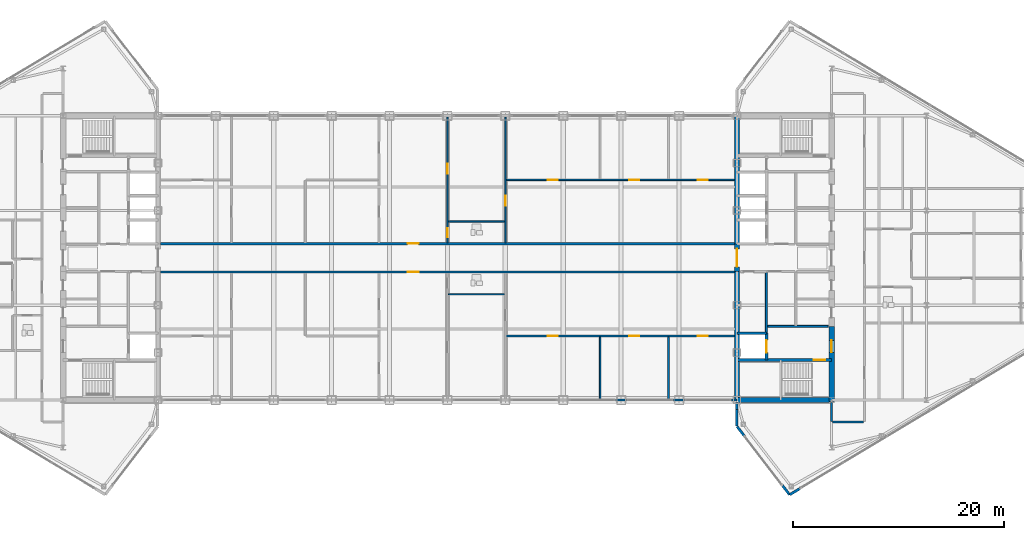
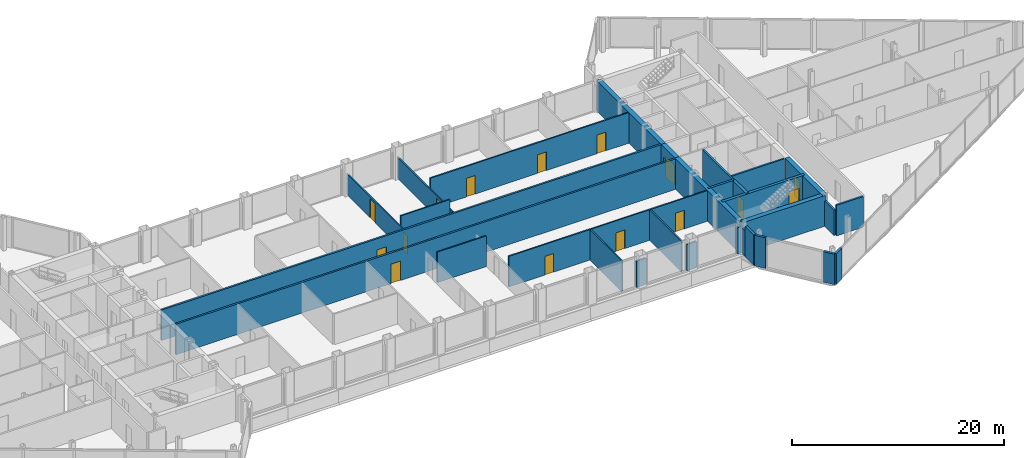
# One storey, part 24 of 29: 30 walls, 15 doors, 15 openings.
"""IFC4 building model written with IfcOpenShell, lengths in metres."""

from ifc_helpers import new_model, si_unit, direction, frame, frame_2d, origin, place, context, subcontext, project, spatial, rectangle, extrude, source, transform, mapped, material, layer, layer_set, type_object, type_shapes, element, fill, save


model = new_model("IFC4")

# Units and contexts
model_context = context("Model", 3, precision=1e-05, world=origin(), true_north=direction((0.0, 1.0)))
body_context = subcontext(model_context, "Body", "Model", "MODEL_VIEW")
ifc_project = project(units=[si_unit("LENGTHUNIT", "METRE"), si_unit("AREAUNIT", "SQUARE_METRE"), si_unit("VOLUMEUNIT", "CUBIC_METRE"), si_unit("PLANEANGLEUNIT", "RADIAN"), si_unit("MASSUNIT", "GRAM", prefix="KILO")], contexts=[model_context])

# Site, building, storey
site_placement = place(None, origin())
site = spatial("IfcSite", under=ifc_project, at=site_placement, CompositionType="ELEMENT")
building_placement = place(site_placement, origin())
building = spatial("IfcBuilding", under=site, at=building_placement, Name="Seokmaru Belvedere", CompositionType="ELEMENT")
storey_placement = place(building_placement, frame((0.0, 0.0, 239.39990234375)))
storey = spatial("IfcBuildingStorey", under=building, at=storey_placement, Name="L63", CompositionType="ELEMENT", Elevation=239.39990234375)

# Wall, openings, doors
ifc_material_1 = material(Name="Fire-Rated Gypsum Shaftwall")
ifc_layer_1 = layer(ifc_material_1, 0.14990234375)
ifc_layer_set_1 = layer_set([ifc_layer_1], Name="Fire-Rated Gypsum Shaftwall")
wall_type_1 = type_object("IfcWallType", Name="Apartment Fire-Acoustic Room Partition 150", PredefinedType="PARTITIONING", material=ifc_layer_set_1)
wall_1_placement = place(storey_placement, frame((5.5849609375, -7.419921875, 0.0), z_axis=(0.0, 0.0, 1.0), x_axis=(1.0, 0.0, 0.0)))
wall_1 = element("IfcWall", 1, at=wall_1_placement, inside=storey, type_object=wall_type_1, Name="L63 Interior Partition 006", PredefinedType="PARTITIONING", context=body_context, shape_type="SweptSolid", body=[
    extrude(rectangle(XDim=21.66015625, YDim=0.14990234375, at=frame_2d((10.830078125, 0.0))), origin(), (0.0, 0.0, 1.0), 3.530029296875),
])
opening_1_placement = place(wall_1_placement, frame((3.93994140625, 0.0, 0.0)))
opening_1 = element("IfcOpeningElement", 2, at=opening_1_placement, cuts=wall_1, Name="Opening D05", PredefinedType="OPENING", context=body_context, shape_type="SweptSolid", body=[
    extrude(rectangle(XDim=0.949951171875, YDim=2.14990234375, at=frame_2d((0.47509765625, 1.074951171875))), frame((0.0, 0.0849609375, 0.0), z_axis=(0.0, -1.0, 0.0), x_axis=(1.0, 0.0, 0.0)), (0.0, 0.0, 1.0), 0.169921875),
])
opening_2_placement = place(wall_1_placement, frame((11.68994140625, 0.0, 0.0)))
opening_2 = element("IfcOpeningElement", 3, at=opening_2_placement, cuts=wall_1, Name="Opening D05", PredefinedType="OPENING", context=body_context, shape_type="SweptSolid", body=[
    extrude(rectangle(XDim=0.949951171875, YDim=2.14990234375, at=frame_2d((0.47509765625, 1.074951171875))), frame((0.0, 0.0849609375, 0.0), z_axis=(0.0, -1.0, 0.0), x_axis=(1.0, 0.0, 0.0)), (0.0, 0.0, 1.0), 0.169921875),
])
opening_3_placement = place(wall_1_placement, frame((18.18994140625, 0.0, 0.0)))
opening_3 = element("IfcOpeningElement", 4, at=opening_3_placement, cuts=wall_1, Name="Opening D05", PredefinedType="OPENING", context=body_context, shape_type="SweptSolid", body=[
    extrude(rectangle(XDim=0.949951171875, YDim=2.14990234375, at=frame_2d((0.47509765625, 1.074951171875))), frame((0.0, 0.0849609375, 0.0), z_axis=(0.0, -1.0, 0.0), x_axis=(1.0, 0.0, 0.0)), (0.0, 0.0, 1.0), 0.169921875),
])
ifc_material_2 = material(Name="Engineered White Oak Timber", Category="wood")
door_type_1 = type_object("IfcDoorType", Name="Apartment Interior Fire-Rated Oak Door 950x2150", OperationType="NOTDEFINED", PredefinedType="DOOR", material=ifc_material_2)
shared_shape_1 = source(origin(), body_context, "Body", "SweptSolid", [
    extrude(rectangle(XDim=0.949951171875, YDim=2.14990234375, at=frame_2d((0.47509765625, 1.074951171875))), frame((0.0, 0.02490234375, 0.0), z_axis=(0.0, -1.0, 0.0), x_axis=(1.0, 0.0, 0.0)), (0.0, 0.0, 1.0), 0.050048828125),
])
type_shapes(door_type_1, [shared_shape_1])
door_1_placement = place(opening_1_placement, origin())
door_1 = element("IfcDoor", 5, at=door_1_placement, inside=storey, type_object=door_type_1, Name="L63 Interior Door 031", OperationType="SINGLE_SWING_LEFT", OverallHeight=2.14990234375, OverallWidth=0.949951171875, PredefinedType="DOOR", context=body_context, shape_type="MappedRepresentation", body=[
    mapped(shared_shape_1, transform((0.0, 0.0, 0.0), scale=1.0)),
])
fill(opening_1, door_1)
door_2_placement = place(opening_2_placement, origin())
door_2 = element("IfcDoor", 6, at=door_2_placement, inside=storey, type_object=door_type_1, Name="L63 Interior Door 032", OperationType="SINGLE_SWING_RIGHT", OverallHeight=2.14990234375, OverallWidth=0.949951171875, PredefinedType="DOOR", context=body_context, shape_type="MappedRepresentation", body=[
    mapped(shared_shape_1, transform((0.0, 0.0, 0.0), scale=1.0)),
])
fill(opening_2, door_2)
door_3_placement = place(opening_3_placement, origin())
door_3 = element("IfcDoor", 7, at=door_3_placement, inside=storey, type_object=door_type_1, Name="L63 Interior Door 033", OperationType="SINGLE_SWING_LEFT", OverallHeight=2.14990234375, OverallWidth=0.949951171875, PredefinedType="DOOR", context=body_context, shape_type="MappedRepresentation", body=[
    mapped(shared_shape_1, transform((0.0, 0.0, 0.0), scale=1.0)),
])
fill(opening_3, door_3)

wall_2_placement = place(storey_placement, frame((5.5849609375, 7.419921875, 0.0), z_axis=(0.0, 0.0, 1.0), x_axis=(1.0, 0.0, 0.0)))
wall_2 = element("IfcWall", 8, at=wall_2_placement, inside=storey, type_object=wall_type_1, Name="L63 Interior Partition 024", PredefinedType="PARTITIONING", context=body_context, shape_type="SweptSolid", body=[
    extrude(rectangle(XDim=21.66015625, YDim=0.14990234375, at=frame_2d((10.830078125, 0.0))), origin(), (0.0, 0.0, 1.0), 3.530029296875),
])
opening_4_placement = place(wall_2_placement, frame((3.93994140625, 0.0, 0.0)))
opening_4 = element("IfcOpeningElement", 9, at=opening_4_placement, cuts=wall_2, Name="Opening D05", PredefinedType="OPENING", context=body_context, shape_type="SweptSolid", body=[
    extrude(rectangle(XDim=0.949951171875, YDim=2.14990234375, at=frame_2d((0.47509765625, 1.074951171875))), frame((0.0, 0.0849609375, 0.0), z_axis=(0.0, -1.0, 0.0), x_axis=(1.0, 0.0, 0.0)), (0.0, 0.0, 1.0), 0.169921875),
])
opening_5_placement = place(wall_2_placement, frame((11.68994140625, 0.0, 0.0)))
opening_5 = element("IfcOpeningElement", 10, at=opening_5_placement, cuts=wall_2, Name="Opening D05", PredefinedType="OPENING", context=body_context, shape_type="SweptSolid", body=[
    extrude(rectangle(XDim=0.949951171875, YDim=2.14990234375, at=frame_2d((0.47509765625, 1.074951171875))), frame((0.0, 0.0849609375, 0.0), z_axis=(0.0, -1.0, 0.0), x_axis=(1.0, 0.0, 0.0)), (0.0, 0.0, 1.0), 0.169921875),
])
opening_6_placement = place(wall_2_placement, frame((18.18994140625, 0.0, 0.0)))
opening_6 = element("IfcOpeningElement", 11, at=opening_6_placement, cuts=wall_2, Name="Opening D05", PredefinedType="OPENING", context=body_context, shape_type="SweptSolid", body=[
    extrude(rectangle(XDim=0.949951171875, YDim=2.14990234375, at=frame_2d((0.47509765625, 1.074951171875))), frame((0.0, 0.0849609375, 0.0), z_axis=(0.0, -1.0, 0.0), x_axis=(1.0, 0.0, 0.0)), (0.0, 0.0, 1.0), 0.169921875),
])
door_4_placement = place(opening_4_placement, origin())
door_4 = element("IfcDoor", 12, at=door_4_placement, inside=storey, type_object=door_type_1, Name="L63 Interior Door 042", OperationType="SINGLE_SWING_LEFT", OverallHeight=2.14990234375, OverallWidth=0.949951171875, PredefinedType="DOOR", context=body_context, shape_type="MappedRepresentation", body=[
    mapped(shared_shape_1, transform((0.0, 0.0, 0.0), scale=1.0)),
])
fill(opening_4, door_4)
door_5_placement = place(opening_5_placement, origin())
door_5 = element("IfcDoor", 13, at=door_5_placement, inside=storey, type_object=door_type_1, Name="L63 Interior Door 043", OperationType="SINGLE_SWING_RIGHT", OverallHeight=2.14990234375, OverallWidth=0.949951171875, PredefinedType="DOOR", context=body_context, shape_type="MappedRepresentation", body=[
    mapped(shared_shape_1, transform((0.0, 0.0, 0.0), scale=1.0)),
])
fill(opening_5, door_5)
door_6_placement = place(opening_6_placement, origin())
door_6 = element("IfcDoor", 14, at=door_6_placement, inside=storey, type_object=door_type_1, Name="L63 Interior Door 044", OperationType="SINGLE_SWING_LEFT", OverallHeight=2.14990234375, OverallWidth=0.949951171875, PredefinedType="DOOR", context=body_context, shape_type="MappedRepresentation", body=[
    mapped(shared_shape_1, transform((0.0, 0.0, 0.0), scale=1.0)),
])
fill(opening_6, door_6)

# Wall, opening, door
wall_3_placement = place(storey_placement, frame((5.5, 1.43505859375, 0.0), z_axis=(0.0, 0.0, 1.0), x_axis=(0.0, 1.0, 0.0)))
wall_3 = element("IfcWall", 15, at=wall_3_placement, inside=storey, type_object=wall_type_1, Name="L63 Interior Partition 043", PredefinedType="PARTITIONING", context=body_context, shape_type="SweptSolid", body=[
    extrude(rectangle(XDim=11.954833984375, YDim=0.14990234375, at=frame_2d((5.9775390625, 0.0))), origin(), (0.0, 0.0, 1.0), 2.43017578125),
])
opening_7_placement = place(wall_3_placement, frame((3.527587890625, 0.0, 0.0)))
opening_7 = element("IfcOpeningElement", 16, at=opening_7_placement, cuts=wall_3, Name="Opening D05", PredefinedType="OPENING", context=body_context, shape_type="SweptSolid", body=[
    extrude(rectangle(XDim=0.949951171875, YDim=2.14990234375, at=frame_2d((0.47509765625, 1.074951171875))), frame((0.0, 0.0849609375, 0.0), z_axis=(0.0, -1.0, 0.0), x_axis=(1.0, 0.0, 0.0)), (0.0, 0.0, 1.0), 0.169921875),
])
door_7_placement = place(opening_7_placement, origin())
door_7 = element("IfcDoor", 17, at=door_7_placement, inside=storey, type_object=door_type_1, Name="L63 Interior Door 041", OperationType="SINGLE_SWING_LEFT", OverallHeight=2.14990234375, OverallWidth=0.949951171875, PredefinedType="DOOR", context=body_context, shape_type="MappedRepresentation", body=[
    mapped(shared_shape_1, transform((0.0, 0.0, 0.0), scale=1.0)),
])
fill(opening_7, door_7)

# Walls
for number, where, z_axis, x_axis, name in (
    (18, (14.5, -13.5, 0.0), (0.0, 0.0, 1.0), (0.0, 1.0, 0.0), "L63 Interior Partition 044"),
    (19, (21.0, -13.5, 0.0), (0.0, 0.0, 1.0), (0.0, 1.0, 0.0), "L63 Interior Partition 046"),
):
    element("IfcWall", number, at=place(storey_placement, frame(where, z_axis=z_axis, x_axis=x_axis)), inside=storey, type_object=wall_type_1, Name=name, PredefinedType="PARTITIONING", context=body_context, shape_type="SweptSolid", body=[
        extrude(rectangle(XDim=5.989990234375, YDim=0.14990234375, at=frame_2d((2.9951171875, 0.0))), origin(), (0.0, 0.0, 1.0), 3.530029296875),
    ])
ifc_material_3 = material(Name="Anodised Bronze Aluminium", Category="aluminium")
ifc_layer_2 = layer(ifc_material_3, 0.2099609375)
ifc_layer_set_2 = layer_set([ifc_layer_2], Name="Anodised Bronze Aluminium")
wall_type_2 = type_object("IfcWallType", Name="Bridge Column Spandrel Closure Pier 210", PredefinedType="SOLIDWALL", material=ifc_layer_set_2)
for number, where, z_axis, x_axis, name in (
    (20, (15.949951171875, -13.5, 0.0), (0.0, 0.0, 1.0), (1.0, 0.0, 0.0), "L63 Bridge South Column Closure Pier 09"),
    (21, (21.449951171875, -13.5, 0.0), (0.0, 0.0, 1.0), (1.0, 0.0, 0.0), "L63 Bridge South Column Closure Pier 10"),
):
    element("IfcWall", number, at=place(storey_placement, frame(where, z_axis=z_axis, x_axis=x_axis)), inside=storey, type_object=wall_type_2, Name=name, PredefinedType="SOLIDWALL", context=body_context, shape_type="SweptSolid", body=[
        extrude(rectangle(XDim=1.10009765625, YDim=0.2099609375, at=frame_2d((0.550048828125, 0.0))), origin(), (0.0, 0.0, 1.0), 3.030029296875),
    ])
wall_4_placement = place(storey_placement, frame((26.949951171875, -13.5, 0.0), z_axis=(0.0, 0.0, 1.0), x_axis=(1.0, 0.0, 0.0)))
element("IfcWall", 22, at=wall_4_placement, inside=storey, type_object=wall_type_2, Name="L63 Bridge South Column Closure Pier 11", PredefinedType="SOLIDWALL", context=body_context, shape_type="SweptSolid", body=[
    extrude(rectangle(XDim=0.5400390625, YDim=0.2099609375, at=frame_2d((0.27001953125, 0.0))), origin(), (0.0, 0.0, 1.0), 3.030029296875),
])
ifc_layer_3 = layer(ifc_material_1, 0.179931640625)
ifc_layer_set_3 = layer_set([ifc_layer_3], Name="Fire-Rated Gypsum Shaftwall")
wall_type_3 = type_object("IfcWallType", Name="Core Service Fire Partition 180", PredefinedType="PARTITIONING", material=ifc_layer_set_3)
wall_5_placement = place(storey_placement, frame((30.449951171875, -6.5, 0.0), z_axis=(0.0, 0.0, 1.0), x_axis=(1.0, 0.0, 0.0)))
element("IfcWall", 23, at=wall_5_placement, inside=storey, type_object=wall_type_3, Name="L63 East Firefighting Lobby Partition", PredefinedType="PARTITIONING", context=body_context, shape_type="SweptSolid", body=[
    extrude(rectangle(XDim=5.699951171875, YDim=0.179931640625, at=frame_2d((2.85009765625, 0.0))), origin(), (0.0, 0.0, 1.0), 3.530029296875),
])
wall_6_placement = place(storey_placement, frame((30.300048828125, -7.1201171875, 0.0), z_axis=(0.0, 0.0, 1.0), x_axis=(0.0, 1.0, 0.0)))
element("IfcWall", 24, at=wall_6_placement, inside=storey, type_object=wall_type_3, Name="L63 East Freed Shaft Vault Partition", PredefinedType="PARTITIONING", context=body_context, shape_type="SweptSolid", body=[
    extrude(rectangle(XDim=5.740234375, YDim=0.179931640625, at=frame_2d((2.8701171875, 0.0))), origin(), (0.0, 0.0, 1.0), 3.530029296875),
])
ifc_material_4 = material(Name="Concrete C50 (50 MPa)", Category="concrete")
ifc_layer_4 = layer(ifc_material_4, 0.25)
ifc_layer_set_4 = layer_set([ifc_layer_4], Name="Concrete C50 (50 MPa)")
wall_type_4 = type_object("IfcWallType", Name="Hoistway Transverse Concrete Divider Wall 250", PredefinedType="SHEAR", material=ifc_layer_set_4)
wall_7_placement = place(storey_placement, frame((27.5, -7.14990234375, 0.0), z_axis=(0.0, 0.0, 1.0), x_axis=(1.0, 0.0, 0.0)))
element("IfcWall", 25, at=wall_7_placement, inside=storey, type_object=wall_type_4, Name="L63 East Hoistway Divider Core Wall 1", PredefinedType="SHEAR", context=body_context, shape_type="SweptSolid", body=[
    extrude(rectangle(XDim=2.800048828125, YDim=0.25, at=frame_2d((1.39990234375, 0.0))), origin(), (0.0, 0.0, 1.0), 3.530029296875),
])
ifc_layer_5 = layer(ifc_material_1, 0.199951171875)
ifc_layer_set_5 = layer_set([ifc_layer_5], Name="Fire-Rated Gypsum Shaftwall")
wall_type_5 = type_object("IfcWallType", Name="Inter-Tenancy Fire Compartment Partition 200", PredefinedType="PARTITIONING", material=ifc_layer_set_5)
wall_8_placement = place(storey_placement, frame((36.5849609375, -15.60009765625, 0.0), z_axis=(0.0, 0.0, 1.0), x_axis=(1.0, 0.0, 0.0)))
element("IfcWall", 26, at=wall_8_placement, inside=storey, type_object=wall_type_5, Name="L63 Interior Partition 002", PredefinedType="PARTITIONING", context=body_context, shape_type="SweptSolid", body=[
    extrude(rectangle(XDim=2.929931640625, YDim=0.199951171875, at=frame_2d((1.46484375, 0.0))), origin(), (0.0, 0.0, 1.0), 3.530029296875),
])

# Wall, opening, door
wall_9_placement = place(storey_placement, frame((-27.2451171875, -1.35009765625, 0.0), z_axis=(0.0, 0.0, 1.0), x_axis=(1.0, 0.0, 0.0)))
wall_9 = element("IfcWall", 27, at=wall_9_placement, inside=storey, type_object=wall_type_5, Name="L63 Interior Partition 013", PredefinedType="PARTITIONING", context=body_context, shape_type="SweptSolid", body=[
    extrude(rectangle(XDim=54.490234375, YDim=0.199951171875, at=frame_2d((27.2451171875, 0.0))), origin(), (0.0, 0.0, 1.0), 3.530029296875),
])
opening_8_placement = place(wall_9_placement, frame((23.469970703125, 0.0, 0.0)))
opening_8 = element("IfcOpeningElement", 28, at=opening_8_placement, cuts=wall_9, Name="Opening D03", PredefinedType="OPENING", context=body_context, shape_type="SweptSolid", body=[
    extrude(rectangle(XDim=1.050048828125, YDim=2.25, at=frame_2d((0.52490234375, 1.125))), frame((0.0, 0.10986328125, 0.0), z_axis=(0.0, -1.0, 0.0), x_axis=(1.0, 0.0, 0.0)), (0.0, 0.0, 1.0), 0.219970703125),
])
ifc_material_5 = material(Name="Fire-Rated Steel Leaf", Category="steel")
door_type_2 = type_object("IfcDoorType", Name="Apartment Entrance Fire Door 1050x2250", OperationType="NOTDEFINED", PredefinedType="DOOR", material=ifc_material_5)
shared_shape_2 = source(origin(), body_context, "Body", "SweptSolid", [
    extrude(rectangle(XDim=1.050048828125, YDim=2.25, at=frame_2d((0.52490234375, 1.125))), frame((0.0, 0.02490234375, 0.0), z_axis=(0.0, -1.0, 0.0), x_axis=(1.0, 0.0, 0.0)), (0.0, 0.0, 1.0), 0.050048828125),
])
type_shapes(door_type_2, [shared_shape_2])
door_8_placement = place(opening_8_placement, origin())
door_8 = element("IfcDoor", 29, at=door_8_placement, inside=storey, type_object=door_type_2, Name="L63 Interior Door 023", OperationType="SINGLE_SWING_LEFT", OverallHeight=2.25, OverallWidth=1.050048828125, PredefinedType="DOOR", context=body_context, shape_type="MappedRepresentation", body=[
    mapped(shared_shape_2, transform((0.0, 0.0, 0.0), scale=1.0)),
])
fill(opening_8, door_8)

wall_10_placement = place(storey_placement, frame((-27.2451171875, 1.35009765625, 0.0), z_axis=(0.0, 0.0, 1.0), x_axis=(1.0, 0.0, 0.0)))
wall_10 = element("IfcWall", 30, at=wall_10_placement, inside=storey, type_object=wall_type_5, Name="L63 Interior Partition 016", PredefinedType="PARTITIONING", context=body_context, shape_type="SweptSolid", body=[
    extrude(rectangle(XDim=54.490234375, YDim=0.199951171875, at=frame_2d((27.2451171875, 0.0))), origin(), (0.0, 0.0, 1.0), 3.530029296875),
])
opening_9_placement = place(wall_10_placement, frame((23.469970703125, 0.0, 0.0)))
opening_9 = element("IfcOpeningElement", 31, at=opening_9_placement, cuts=wall_10, Name="Opening D03", PredefinedType="OPENING", context=body_context, shape_type="SweptSolid", body=[
    extrude(rectangle(XDim=1.050048828125, YDim=2.25, at=frame_2d((0.52490234375, 1.125))), frame((0.0, 0.10986328125, 0.0), z_axis=(0.0, -1.0, 0.0), x_axis=(1.0, 0.0, 0.0)), (0.0, 0.0, 1.0), 0.219970703125),
])
door_9_placement = place(opening_9_placement, origin())
door_9 = element("IfcDoor", 32, at=door_9_placement, inside=storey, type_object=door_type_2, Name="L63 Interior Door 034", OperationType="SINGLE_SWING_RIGHT", OverallHeight=2.25, OverallWidth=1.050048828125, PredefinedType="DOOR", context=body_context, shape_type="MappedRepresentation", body=[
    mapped(shared_shape_2, transform((0.0, 0.0, 0.0), scale=1.0)),
])
fill(opening_9, door_9)

# Wall
wall_11_placement = place(storey_placement, frame((36.5, -15.514892578125, 0.0), z_axis=(0.0, 0.0, 1.0), x_axis=(0.0, 1.0, 0.0)))
element("IfcWall", 33, at=wall_11_placement, inside=storey, type_object=wall_type_5, Name="L63 Interior Partition 048", PredefinedType="PARTITIONING", context=body_context, shape_type="SweptSolid", body=[
    extrude(rectangle(XDim=1.760009765625, YDim=0.199951171875, at=frame_2d((0.8798828125, 0.0))), origin(), (0.0, 0.0, 1.0), 2.93017578125),
])

# Wall, opening, door
ifc_layer_6 = layer(ifc_material_4, 0.300048828125)
ifc_layer_set_6 = layer_set([ifc_layer_6], Name="Concrete C50 (50 MPa)")
wall_type_6 = type_object("IfcWallType", Name="Internal Core Stair and Hoistway Wall 300", PredefinedType="SHEAR", material=ifc_layer_set_6)
wall_12_placement = place(storey_placement, frame((27.5, -9.699951171875, 0.0), z_axis=(0.0, 0.0, 1.0), x_axis=(1.0, 0.0, 0.0)))
wall_12 = element("IfcWall", 34, at=wall_12_placement, inside=storey, type_object=wall_type_6, Name="L63 East Stair ST-1 Enclosure Wall", PredefinedType="SHEAR", context=body_context, shape_type="SweptSolid", body=[
    extrude(rectangle(XDim=9.0, YDim=0.300048828125, at=frame_2d((4.5, 0.0))), origin(), (0.0, 0.0, 1.0), 3.530029296875),
])
opening_10_placement = place(wall_12_placement, frame((7.300048828125, 0.0, 0.0)))
opening_10 = element("IfcOpeningElement", 35, at=opening_10_placement, cuts=wall_12, Name="Opening D01", PredefinedType="OPENING", context=body_context, shape_type="SweptSolid", body=[
    extrude(rectangle(XDim=1.10009765625, YDim=2.199951171875, at=frame_2d((0.550048828125, 1.10009765625))), frame((0.0, 0.16015625, 0.0), z_axis=(0.0, -1.0, 0.0), x_axis=(1.0, 0.0, 0.0)), (0.0, 0.0, 1.0), 0.320068359375),
])
door_type_3 = type_object("IfcDoorType", Name="Special Escape Stair Smokeproof Fire Door 1100x2200", OperationType="NOTDEFINED", PredefinedType="DOOR", material=ifc_material_5)
shared_shape_3 = source(origin(), body_context, "Body", "SweptSolid", [
    extrude(rectangle(XDim=1.10009765625, YDim=2.199951171875, at=frame_2d((0.550048828125, 1.10009765625))), frame((0.0, 0.02490234375, 0.0), z_axis=(0.0, -1.0, 0.0), x_axis=(1.0, 0.0, 0.0)), (0.0, 0.0, 1.0), 0.050048828125),
])
type_shapes(door_type_3, [shared_shape_3])
door_10_placement = place(opening_10_placement, frame((1.10009765625, 0.0, 0.0), z_axis=(0.0, 0.0, 1.0), x_axis=(-1.0, 0.0, 0.0)))
door_10 = element("IfcDoor", 36, at=door_10_placement, inside=storey, type_object=door_type_3, Name="L63 East Special Escape Stair ST-1 Door", OperationType="SINGLE_SWING_RIGHT", OverallHeight=2.199951171875, OverallWidth=1.10009765625, PredefinedType="DOOR", context=body_context, shape_type="MappedRepresentation", body=[
    mapped(shared_shape_3, transform((0.0, 0.0, 0.0), scale=1.0)),
])
fill(opening_10, door_10)

wall_13_placement = place(storey_placement, frame((30.300048828125, -9.679931640625, 0.0), z_axis=(0.0, 0.0, 1.0), x_axis=(0.0, 1.0, 0.0)))
wall_13 = element("IfcWall", 37, at=wall_13_placement, inside=storey, type_object=wall_type_6, Name="L63 East Firefighting Lift Shaft Front Wall", PredefinedType="SHEAR", context=body_context, shape_type="SweptSolid", body=[
    extrude(rectangle(XDim=2.559814453125, YDim=0.300048828125, at=frame_2d((1.27978515625, 0.0))), origin(), (0.0, 0.0, 1.0), 3.530029296875),
])
opening_11_placement = place(wall_13_placement, frame((0.679931640625, 0.0, 0.0)))
opening_11 = element("IfcOpeningElement", 38, at=opening_11_placement, cuts=wall_13, Name="Opening LD2", PredefinedType="OPENING", context=body_context, shape_type="SweptSolid", body=[
    extrude(rectangle(XDim=1.199951171875, YDim=2.25, at=frame_2d((0.60009765625, 1.125))), frame((0.0, 0.16015625, 0.0), z_axis=(0.0, -1.0, 0.0), x_axis=(1.0, 0.0, 0.0)), (0.0, 0.0, 1.0), 0.320068359375),
])
ifc_material_6 = material(Name="Stainless Steel 316", Category="steel")
door_type_4 = type_object("IfcDoorType", Name="Firefighting Lift Sliding Landing Door 1200x2250", OperationType="DOUBLE_DOOR_SLIDING", PredefinedType="DOOR", material=ifc_material_6)
shared_shape_4 = source(origin(), body_context, "Body", "SweptSolid", [
    extrude(rectangle(XDim=1.199951171875, YDim=2.25, at=frame_2d((0.60009765625, 1.125))), frame((0.0, 0.02490234375, 0.0), z_axis=(0.0, -1.0, 0.0), x_axis=(1.0, 0.0, 0.0)), (0.0, 0.0, 1.0), 0.050048828125),
])
type_shapes(door_type_4, [shared_shape_4])
door_11_placement = place(opening_11_placement, origin())
door_11 = element("IfcDoor", 39, at=door_11_placement, inside=storey, type_object=door_type_4, Name="L63 East Firefighting Lift Landing Door", OperationType="DOUBLE_DOOR_SLIDING", OverallHeight=2.25, OverallWidth=1.199951171875, PredefinedType="DOOR", context=body_context, shape_type="MappedRepresentation", body=[
    mapped(shared_shape_4, transform((0.0, 0.0, 0.0), scale=1.0)),
])
fill(opening_11, door_11)

# Walls
ifc_layer_7 = layer(ifc_material_1, 0.1298828125)
ifc_layer_set_7 = layer_set([ifc_layer_7], Name="Fire-Rated Gypsum Shaftwall")
wall_type_7 = type_object("IfcWallType", Name="Moisture-Resistant Fire-Rated Bathroom Partition 130", PredefinedType="PARTITIONING", material=ifc_layer_set_7)
for number, where, z_axis, x_axis, name in (
    (40, (0.0849609375, -3.449951171875, 0.0), (0.0, 0.0, 1.0), (1.0, 0.0, 0.0), "L63 Interior Partition 010"),
    (41, (0.0849609375, 3.449951171875, 0.0), (0.0, 0.0, 1.0), (1.0, 0.0, 0.0), "L63 Interior Partition 019"),
):
    element("IfcWall", number, at=place(storey_placement, frame(where, z_axis=z_axis, x_axis=x_axis)), inside=storey, type_object=wall_type_7, Name=name, PredefinedType="PARTITIONING", context=body_context, shape_type="SweptSolid", body=[
        extrude(rectangle(XDim=5.330078125, YDim=0.1298828125, at=frame_2d((2.6650390625, 0.0))), origin(), (0.0, 0.0, 1.0), 3.530029296875),
    ])

# Wall, openings, doors
wall_14_placement = place(storey_placement, frame((0.0, 1.43505859375, 0.0), z_axis=(0.0, 0.0, 1.0), x_axis=(0.0, 1.0, 0.0)))
wall_14 = element("IfcWall", 42, at=wall_14_placement, inside=storey, type_object=wall_type_7, Name="L63 Interior Partition 041", PredefinedType="PARTITIONING", context=body_context, shape_type="SweptSolid", body=[
    extrude(rectangle(XDim=11.954833984375, YDim=0.1298828125, at=frame_2d((5.9775390625, 0.0))), origin(), (0.0, 0.0, 1.0), 2.43017578125),
])
opening_12_placement = place(wall_14_placement, frame((0.52490234375, 0.0, 0.0)))
opening_12 = element("IfcOpeningElement", 43, at=opening_12_placement, cuts=wall_14, Name="Opening D06", PredefinedType="OPENING", context=body_context, shape_type="SweptSolid", body=[
    extrude(rectangle(XDim=0.8798828125, YDim=2.10009765625, at=frame_2d((0.43994140625, 1.050048828125))), frame((0.0, 0.074951171875, 0.0), z_axis=(0.0, -1.0, 0.0), x_axis=(1.0, 0.0, 0.0)), (0.0, 0.0, 1.0), 0.14990234375),
])
opening_13_placement = place(wall_14_placement, frame((6.56494140625, 0.0, 0.0)))
opening_13 = element("IfcOpeningElement", 44, at=opening_13_placement, cuts=wall_14, Name="Opening D05", PredefinedType="OPENING", context=body_context, shape_type="SweptSolid", body=[
    extrude(rectangle(XDim=0.949951171875, YDim=2.14990234375, at=frame_2d((0.47509765625, 1.074951171875))), frame((0.0, 0.074951171875, 0.0), z_axis=(0.0, -1.0, 0.0), x_axis=(1.0, 0.0, 0.0)), (0.0, 0.0, 1.0), 0.14990234375),
])
door_type_5 = type_object("IfcDoorType", Name="Bathroom and Restroom Fire-Rated Door 880x2100", OperationType="NOTDEFINED", PredefinedType="DOOR", material=ifc_material_2)
shared_shape_5 = source(origin(), body_context, "Body", "SweptSolid", [
    extrude(rectangle(XDim=0.8798828125, YDim=2.10009765625, at=frame_2d((0.43994140625, 1.050048828125))), frame((0.0, 0.02490234375, 0.0), z_axis=(0.0, -1.0, 0.0), x_axis=(1.0, 0.0, 0.0)), (0.0, 0.0, 1.0), 0.050048828125),
])
type_shapes(door_type_5, [shared_shape_5])
door_12_placement = place(opening_12_placement, origin())
door_12 = element("IfcDoor", 45, at=door_12_placement, inside=storey, type_object=door_type_5, Name="L63 Interior Door 035", OperationType="SINGLE_SWING_LEFT", OverallHeight=2.10009765625, OverallWidth=0.8798828125, PredefinedType="DOOR", context=body_context, shape_type="MappedRepresentation", body=[
    mapped(shared_shape_5, transform((0.0, 0.0, 0.0), scale=1.0)),
])
fill(opening_12, door_12)
door_13_placement = place(opening_13_placement, origin())
door_13 = element("IfcDoor", 46, at=door_13_placement, inside=storey, type_object=door_type_1, Name="L63 Interior Door 036", OperationType="SINGLE_SWING_RIGHT", OverallHeight=2.14990234375, OverallWidth=0.949951171875, PredefinedType="DOOR", context=body_context, shape_type="MappedRepresentation", body=[
    mapped(shared_shape_1, transform((0.0, 0.0, 0.0), scale=1.0)),
])
fill(opening_13, door_13)

# Walls
ifc_layer_8 = layer(ifc_material_3, 0.239990234375)
ifc_layer_set_8 = layer_set([ifc_layer_8], Name="Anodised Bronze Aluminium")
wall_type_8 = type_object("IfcWallType", Name="Tower Corner Spandrel Closure Wall 240", PredefinedType="SOLIDWALL", material=ifc_layer_set_8)
wall_15_placement = place(storey_placement, frame((32.508544921875, -22.494873046875, 0.0), z_axis=(0.0, 0.0, 1.0), x_axis=(0.85743623509, 0.514590228002, 0.0)))
element("IfcWall", 47, at=wall_15_placement, inside=storey, type_object=wall_type_8, Name="L63 E Corner Closure Pier 1A", PredefinedType="SOLIDWALL", context=body_context, shape_type="SweptSolid", body=[
    extrude(rectangle(XDim=1.14013671875, YDim=0.239990234375, at=frame_2d((0.570068359375, 0.0))), origin(), (0.0, 0.0, 1.0), 3.530029296875),
])
wall_16_placement = place(storey_placement, frame((27.5, -15.97998046875, 0.0), z_axis=(0.0, 0.0, 1.0), x_axis=(0.0, 1.0, 0.0)))
element("IfcWall", 48, at=wall_16_placement, inside=storey, type_object=wall_type_8, Name="L63 E Shoulder Closure Wall 1", PredefinedType="SOLIDWALL", context=body_context, shape_type="SweptSolid", body=[
    extrude(rectangle(XDim=1.605224609375, YDim=0.239990234375, at=frame_2d((0.802734375, 0.0))), origin(), (0.0, 0.0, 1.0), 3.530029296875),
])
wall_17_placement = place(storey_placement, frame((27.5, -14.374755859375, 0.0), z_axis=(0.0, 0.0, 1.0), x_axis=(0.0, 1.0, 0.0)))
element("IfcWall", 49, at=wall_17_placement, inside=storey, type_object=wall_type_8, Name="L63 E Shoulder Closure Wall 1 Part 2", PredefinedType="SOLIDWALL", context=body_context, shape_type="SweptSolid", body=[
    extrude(rectangle(XDim=0.619873046875, YDim=0.239990234375, at=frame_2d((0.31005859375, 0.0))), origin(), (0.0, 0.0, 1.0), 3.030029296875),
])
for number, where, z_axis, x_axis, name in (
    (50, (27.506103515625, -16.0078125, 0.0), (0.0, 0.0, 1.0), (0.609617623633, -0.792695624408, 0.0), "L63 E Corner Closure Pier 6A"),
    (51, (31.798828125, -21.58837890625, 0.0), (0.0, 0.0, 1.0), (0.609617623633, -0.792695624408, 0.0), "L63 E Corner Closure Pier 6B"),
):
    element("IfcWall", number, at=place(storey_placement, frame(where, z_axis=z_axis, x_axis=x_axis)), inside=storey, type_object=wall_type_8, Name=name, PredefinedType="SOLIDWALL", context=body_context, shape_type="SweptSolid", body=[
        extrude(rectangle(XDim=1.14013671875, YDim=0.239990234375, at=frame_2d((0.570068359375, 0.0))), origin(), (0.0, 0.0, 1.0), 3.530029296875),
    ])
ifc_layer_9 = layer(ifc_material_4, 0.5)
ifc_layer_set_9 = layer_set([ifc_layer_9], Name="Concrete C50 (50 MPa)")
wall_type_9 = type_object("IfcWallType", Name="Upper Tower Reinforced Concrete Core Wall 500", PredefinedType="SHEAR", material=ifc_layer_set_9)
for number, where, z_axis, x_axis, name in (
    (52, (27.5, -13.5, 0.0), (0.0, 0.0, 1.0), (0.0, 1.0, 0.0), "L63 East Portal Spine Core Wall South"),
    (53, (27.5, 1.300048828125, 0.0), (0.0, 0.0, 1.0), (0.0, 1.0, 0.0), "L63 East Portal Spine Core Wall North"),
):
    element("IfcWall", number, at=place(storey_placement, frame(where, z_axis=z_axis, x_axis=x_axis)), inside=storey, type_object=wall_type_9, Name=name, PredefinedType="SHEAR", context=body_context, shape_type="SweptSolid", body=[
        extrude(rectangle(XDim=12.199951171875, YDim=0.5, at=frame_2d((6.10009765625, 0.0))), origin(), (0.0, 0.0, 1.0), 3.530029296875),
    ])

# Wall, opening, door
wall_18_placement = place(storey_placement, frame((27.5, -1.300048828125, 0.0), z_axis=(0.0, 0.0, 1.0), x_axis=(0.0, 1.0, 0.0)))
wall_18 = element("IfcWall", 54, at=wall_18_placement, inside=storey, type_object=wall_type_9, Name="L63 East Portal Spine Core Wall Center", PredefinedType="SHEAR", context=body_context, shape_type="SweptSolid", body=[
    extrude(rectangle(XDim=2.60009765625, YDim=0.5, at=frame_2d((1.300048828125, 0.0))), origin(), (0.0, 0.0, 1.0), 3.530029296875),
])
opening_14_placement = place(wall_18_placement, frame((0.449951171875, 0.0, 0.0)))
opening_14 = element("IfcOpeningElement", 55, at=opening_14_placement, cuts=wall_18, Name="Opening D09", PredefinedType="OPENING", context=body_context, shape_type="SweptSolid", body=[
    extrude(rectangle(XDim=1.699951171875, YDim=2.35009765625, at=frame_2d((0.85009765625, 1.175048828125))), frame((0.0, 0.260009765625, 0.0), z_axis=(0.0, -1.0, 0.0), x_axis=(1.0, 0.0, 0.0)), (0.0, 0.0, 1.0), 0.52001953125),
])
door_type_6 = type_object("IfcDoorType", Name="Sky-Gate Bridge Inter-Tower Fire Door 1700x2350", OperationType="DOUBLE_SWING_LEFT", PredefinedType="DOOR", material=ifc_material_5)
shared_shape_6 = source(origin(), body_context, "Body", "SweptSolid", [
    extrude(rectangle(XDim=1.699951171875, YDim=2.35009765625, at=frame_2d((0.85009765625, 1.175048828125))), frame((0.0, 0.02490234375, 0.0), z_axis=(0.0, -1.0, 0.0), x_axis=(1.0, 0.0, 0.0)), (0.0, 0.0, 1.0), 0.050048828125),
])
type_shapes(door_type_6, [shared_shape_6])
door_14_placement = place(opening_14_placement, origin())
door_14 = element("IfcDoor", 56, at=door_14_placement, inside=storey, type_object=door_type_6, Name="L63 East Inter-Tower Fire Door", OperationType="DOUBLE_SWING_LEFT", OverallHeight=2.35009765625, OverallWidth=1.699951171875, PredefinedType="DOOR", context=body_context, shape_type="MappedRepresentation", body=[
    mapped(shared_shape_6, transform((0.0, 0.0, 0.0), scale=1.0)),
])
fill(opening_14, door_14)

# Wall
wall_19_placement = place(storey_placement, frame((27.5, -13.5, 0.0), z_axis=(0.0, 0.0, 1.0), x_axis=(1.0, 0.0, 0.0)))
element("IfcWall", 57, at=wall_19_placement, inside=storey, type_object=wall_type_9, Name="L63 East South Core Wall", PredefinedType="SHEAR", context=body_context, shape_type="SweptSolid", body=[
    extrude(rectangle(XDim=9.0, YDim=0.5, at=frame_2d((4.5, 0.0))), origin(), (0.0, 0.0, 1.0), 3.530029296875),
])

# Wall, opening, door
wall_20_placement = place(storey_placement, frame((36.5, -13.64990234375, 0.0), z_axis=(0.0, 0.0, 1.0), x_axis=(0.0, 1.0, 0.0)))
wall_20 = element("IfcWall", 58, at=wall_20_placement, inside=storey, type_object=wall_type_9, Name="L63 East West Core Wall FF", PredefinedType="SHEAR", context=body_context, shape_type="SweptSolid", body=[
    extrude(rectangle(XDim=7.14990234375, YDim=0.5, at=frame_2d((3.574951171875, 0.0))), origin(), (0.0, 0.0, 1.0), 3.530029296875),
])
opening_15_placement = place(wall_20_placement, frame((4.675048828125, 0.0, 0.0)))
opening_15 = element("IfcOpeningElement", 59, at=opening_15_placement, cuts=wall_20, Name="Opening D02", PredefinedType="OPENING", context=body_context, shape_type="SweptSolid", body=[
    extrude(rectangle(XDim=1.14990234375, YDim=2.199951171875, at=frame_2d((0.574951171875, 1.10009765625))), frame((0.0, 0.260009765625, 0.0), z_axis=(0.0, -1.0, 0.0), x_axis=(1.0, 0.0, 0.0)), (0.0, 0.0, 1.0), 0.52001953125),
])
door_type_7 = type_object("IfcDoorType", Name="Lobby and Vestibule Fire Door 1150x2200", OperationType="NOTDEFINED", PredefinedType="DOOR", material=ifc_material_5)
shared_shape_7 = source(origin(), body_context, "Body", "SweptSolid", [
    extrude(rectangle(XDim=1.14990234375, YDim=2.199951171875, at=frame_2d((0.574951171875, 1.10009765625))), frame((0.0, 0.02490234375, 0.0), z_axis=(0.0, -1.0, 0.0), x_axis=(1.0, 0.0, 0.0)), (0.0, 0.0, 1.0), 0.050048828125),
])
type_shapes(door_type_7, [shared_shape_7])
door_15_placement = place(opening_15_placement, origin())
door_15 = element("IfcDoor", 60, at=door_15_placement, inside=storey, type_object=door_type_7, Name="L63 East Firefighting Lobby Door", OperationType="SINGLE_SWING_RIGHT", OverallHeight=2.199951171875, OverallWidth=1.14990234375, PredefinedType="DOOR", context=body_context, shape_type="MappedRepresentation", body=[
    mapped(shared_shape_7, transform((0.0, 0.0, 0.0), scale=1.0)),
])
fill(opening_15, door_15)

save(model, "model.ifc")
